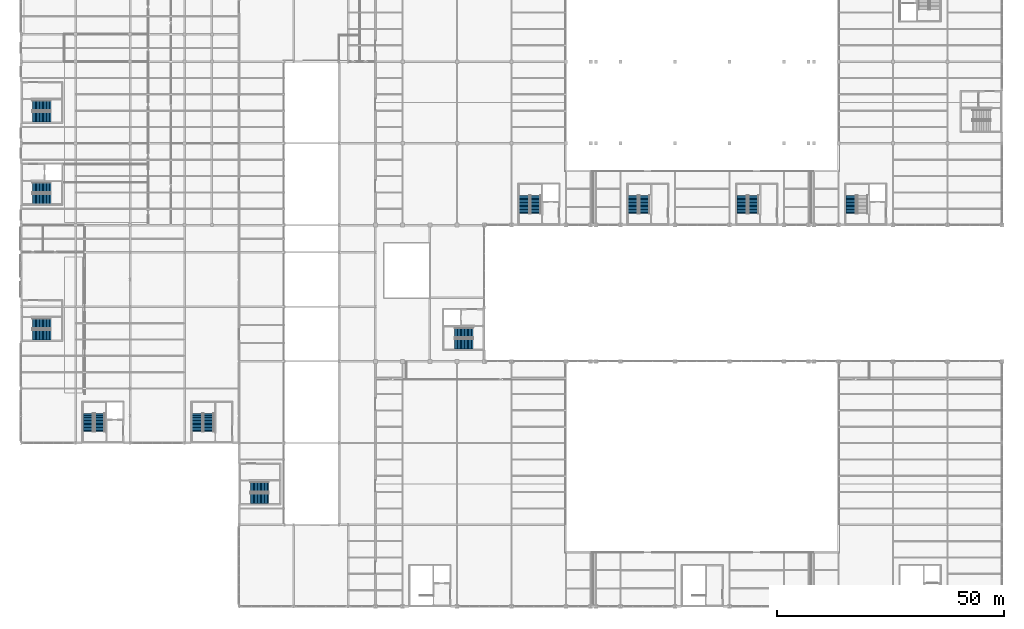
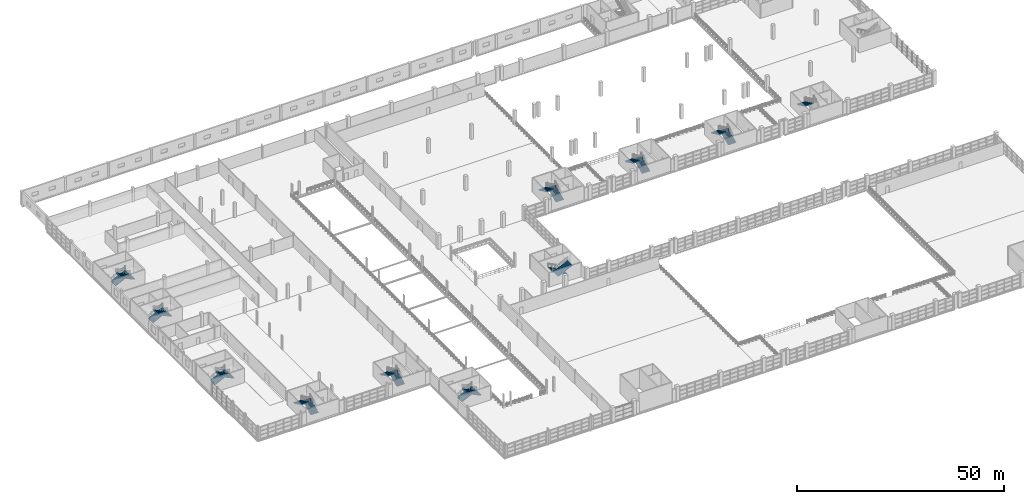
# One storey, part 151 of 158: 21 stair flights, 11 elements without a shape of their own.
"""IFC4 building model written with IfcOpenShell, lengths in metres."""

from ifc_helpers import new_model, si_unit, direction, frame, origin, place, context, subcontext, project, spatial, polyline, outline, extrude, material, type_object, element, aggregate, save


model = new_model("IFC4")

# Units and contexts
model_context = context("Model", 3, precision=1e-05, world=origin(), true_north=direction((0.0, 1.0)))
body_context = subcontext(model_context, "Body", "Model", "MODEL_VIEW")
ifc_project = project(units=[si_unit("LENGTHUNIT", "METRE"), si_unit("AREAUNIT", "SQUARE_METRE"), si_unit("VOLUMEUNIT", "CUBIC_METRE"), si_unit("PLANEANGLEUNIT", "RADIAN"), si_unit("MASSUNIT", "GRAM", prefix="KILO")], contexts=[model_context])

# Site, building, storey
site_placement = place(None, origin())
site = spatial("IfcSite", under=ifc_project, at=site_placement, CompositionType="ELEMENT")
building_placement = place(site_placement, origin())
building = spatial("IfcBuilding", under=site, at=building_placement, Name="Zilviju Railside Exhibition Hall", CompositionType="ELEMENT")
storey_placement = place(building_placement, frame((0.0, 0.0, 4.199951171875)))
storey = spatial("IfcBuildingStorey", under=building, at=storey_placement, Name="L02", CompositionType="ELEMENT", Elevation=4.199951171875)

# Stair, stair flights
ifc_material = material(Name="Concrete C35/45", Category="concrete")
stair_type_1 = type_object("IfcStairType", Name="STAIR-ST-A", PredefinedType="HALF_TURN_STAIR", material=ifc_material)
stair_1_placement = place(storey_placement, origin())
stair_1 = element("IfcStair", 1, at=stair_1_placement, inside=storey, type_object=stair_type_1, Name="Core C04 North Hall Court West Exit Stair L02", PredefinedType="HALF_TURN_STAIR")
stair_flight_type_1 = type_object("IfcStairFlightType", Name="FLIGHT-ST-A", PredefinedType="STRAIGHT", material=ifc_material)
stair_flight_1_placement = place(storey_placement, frame((113.300048828125, 86.5, 0.0), z_axis=(0.0, 0.0, 1.0), x_axis=(0.0, 1.0, 0.0)))
stair_flight_1 = element("IfcStairFlight", 2, at=stair_flight_1_placement, type_object=stair_flight_type_1, Name="ST-04 flight 1", NumberOfRisers=14, NumberOfTreads=13, PredefinedType="STRAIGHT", RiserHeight=0.15, TreadLength=0.31, context=body_context, shape_type="SweptSolid", body=[
    extrude(outline(polyline([(0.0, 0.0), (0.0, 0.14990234375), (0.31005859375, 0.14990234375), (0.31005859375, 0.300048828125), (0.6201171875, 0.300048828125), (0.6201171875, 0.449951171875), (0.929931640625, 0.449951171875), (0.929931640625, 0.60009765625), (1.239990234375, 0.60009765625), (1.239990234375, 0.75), (1.550048828125, 0.75), (1.550048828125, 0.89990234375), (1.860107421875, 0.89990234375), (1.860107421875, 1.050048828125), (2.169921875, 1.050048828125), (2.169921875, 1.199951171875), (2.47998046875, 1.199951171875), (2.47998046875, 1.35009765625), (2.7900390625, 1.35009765625), (2.7900390625, 1.5), (3.10009765625, 1.5), (3.10009765625, 1.64990234375), (3.409912109375, 1.64990234375), (3.409912109375, 1.800048828125), (3.719970703125, 1.800048828125), (3.719970703125, 1.949951171875), (4.030029296875, 1.949951171875), (4.030029296875, 2.10009765625), (4.030029296875, 1.75), (0.4130859375, 0.0), (0.0, 0.0)])), frame((0.0, 1.1201171875, 0.0), z_axis=(0.0, -1.0, 0.0), x_axis=(1.0, 0.0, 0.0)), (0.0, 0.0, 1.0), 2.239990234375),
])
stair_flight_2_placement = place(storey_placement, frame((110.800048828125, 90.530029296875, 2.10009765625), z_axis=(0.0, 0.0, 1.0), x_axis=(0.0, -1.0, 0.0)))
stair_flight_2 = element("IfcStairFlight", 3, at=stair_flight_2_placement, type_object=stair_flight_type_1, Name="ST-04 flight 2", NumberOfRisers=14, NumberOfTreads=13, PredefinedType="STRAIGHT", RiserHeight=0.15, TreadLength=0.31, context=body_context, shape_type="SweptSolid", body=[
    extrude(outline(polyline([(0.0, 0.0), (0.0, 0.14990234375), (0.31005859375, 0.14990234375), (0.31005859375, 0.300048828125), (0.6201171875, 0.300048828125), (0.6201171875, 0.449951171875), (0.929931640625, 0.449951171875), (0.929931640625, 0.60009765625), (1.239990234375, 0.60009765625), (1.239990234375, 0.75), (1.550048828125, 0.75), (1.550048828125, 0.89990234375), (1.860107421875, 0.89990234375), (1.860107421875, 1.050048828125), (2.169921875, 1.050048828125), (2.169921875, 1.199951171875), (2.47998046875, 1.199951171875), (2.47998046875, 1.35009765625), (2.7900390625, 1.35009765625), (2.7900390625, 1.5), (3.10009765625, 1.5), (3.10009765625, 1.64990234375), (3.409912109375, 1.64990234375), (3.409912109375, 1.800048828125), (3.719970703125, 1.800048828125), (3.719970703125, 1.949951171875), (4.030029296875, 1.949951171875), (4.030029296875, 2.10009765625), (4.030029296875, 1.75), (0.4130859375, 0.0), (0.0, 0.0)])), frame((0.0, 1.1201171875, 0.0), z_axis=(0.0, -1.0, 0.0), x_axis=(1.0, 0.0, 0.0)), (0.0, 0.0, 1.0), 2.239990234375),
])
aggregate(stair_1, [stair_flight_1, stair_flight_2])

# Stair, stair flight
stair_2_placement = place(storey_placement, origin())
stair_2 = element("IfcStair", 4, at=stair_2_placement, inside=storey, type_object=stair_type_1, Name="Core C07 North Hall Court East Exit Stair L02", PredefinedType="HALF_TURN_STAIR")
stair_flight_3_placement = place(storey_placement, frame((182.800048828125, 90.530029296875, 2.10009765625), z_axis=(0.0, 0.0, 1.0), x_axis=(0.0, -1.0, 0.0)))
stair_flight_3 = element("IfcStairFlight", 5, at=stair_flight_3_placement, type_object=stair_flight_type_1, Name="ST-07 flight 2", NumberOfRisers=14, NumberOfTreads=13, PredefinedType="STRAIGHT", RiserHeight=0.15, TreadLength=0.31, context=body_context, shape_type="SweptSolid", body=[
    extrude(outline(polyline([(0.0, 0.0), (0.0, 0.14990234375), (0.31005859375, 0.14990234375), (0.31005859375, 0.300048828125), (0.6201171875, 0.300048828125), (0.6201171875, 0.449951171875), (0.929931640625, 0.449951171875), (0.929931640625, 0.60009765625), (1.239990234375, 0.60009765625), (1.239990234375, 0.75), (1.550048828125, 0.75), (1.550048828125, 0.89990234375), (1.860107421875, 0.89990234375), (1.860107421875, 1.050048828125), (2.169921875, 1.050048828125), (2.169921875, 1.199951171875), (2.47998046875, 1.199951171875), (2.47998046875, 1.35009765625), (2.7900390625, 1.35009765625), (2.7900390625, 1.5), (3.10009765625, 1.5), (3.10009765625, 1.64990234375), (3.409912109375, 1.64990234375), (3.409912109375, 1.800048828125), (3.719970703125, 1.800048828125), (3.719970703125, 1.949951171875), (4.030029296875, 1.949951171875), (4.030029296875, 2.10009765625), (4.030029296875, 1.75), (0.4130859375, 0.0), (0.0, 0.0)])), frame((0.0, 1.1201171875, 0.0), z_axis=(0.0, -1.0, 0.0), x_axis=(1.0, 0.0, 0.0)), (0.0, 0.0, 1.0), 2.239990234375),
])
aggregate(stair_2, [stair_flight_3])

# Stair, stair flights
stair_3_placement = place(storey_placement, origin())
stair_3 = element("IfcStair", 6, at=stair_3_placement, inside=storey, type_object=stair_type_1, Name="Core C10 Winter Concourse Court Exit Stair L02", PredefinedType="HALF_TURN_STAIR")
stair_flight_4_placement = place(storey_placement, frame((99.5, 60.300048828125, 0.0), z_axis=(0.0, 0.0, 1.0), x_axis=(-1.0, 0.0, 0.0)))
stair_flight_4 = element("IfcStairFlight", 7, at=stair_flight_4_placement, type_object=stair_flight_type_1, Name="ST-10 flight 1", NumberOfRisers=14, NumberOfTreads=13, PredefinedType="STRAIGHT", RiserHeight=0.15, TreadLength=0.31, context=body_context, shape_type="SweptSolid", body=[
    extrude(outline(polyline([(0.0, 0.0), (0.0, 0.14990234375), (0.31005859375, 0.14990234375), (0.31005859375, 0.300048828125), (0.6201171875, 0.300048828125), (0.6201171875, 0.449951171875), (0.929931640625, 0.449951171875), (0.929931640625, 0.60009765625), (1.239990234375, 0.60009765625), (1.239990234375, 0.75), (1.550048828125, 0.75), (1.550048828125, 0.89990234375), (1.860107421875, 0.89990234375), (1.860107421875, 1.050048828125), (2.169921875, 1.050048828125), (2.169921875, 1.199951171875), (2.47998046875, 1.199951171875), (2.47998046875, 1.35009765625), (2.7900390625, 1.35009765625), (2.7900390625, 1.5), (3.10009765625, 1.5), (3.10009765625, 1.64990234375), (3.409912109375, 1.64990234375), (3.409912109375, 1.800048828125), (3.719970703125, 1.800048828125), (3.719970703125, 1.949951171875), (4.030029296875, 1.949951171875), (4.030029296875, 2.10009765625), (4.030029296875, 1.75), (0.4130859375, 0.0), (0.0, 0.0)])), frame((0.0, 1.1201171875, 0.0), z_axis=(0.0, -1.0, 0.0), x_axis=(1.0, 0.0, 0.0)), (0.0, 0.0, 1.0), 2.239990234375),
])
stair_flight_5_placement = place(storey_placement, frame((95.469970703125, 57.800048828125, 2.10009765625), z_axis=(0.0, 0.0, 1.0), x_axis=(1.0, 0.0, 0.0)))
stair_flight_5 = element("IfcStairFlight", 8, at=stair_flight_5_placement, type_object=stair_flight_type_1, Name="ST-10 flight 2", NumberOfRisers=14, NumberOfTreads=13, PredefinedType="STRAIGHT", RiserHeight=0.15, TreadLength=0.31, context=body_context, shape_type="SweptSolid", body=[
    extrude(outline(polyline([(0.0, 0.0), (0.0, 0.14990234375), (0.31005859375, 0.14990234375), (0.31005859375, 0.300048828125), (0.6201171875, 0.300048828125), (0.6201171875, 0.449951171875), (0.929931640625, 0.449951171875), (0.929931640625, 0.60009765625), (1.239990234375, 0.60009765625), (1.239990234375, 0.75), (1.550048828125, 0.75), (1.550048828125, 0.89990234375), (1.860107421875, 0.89990234375), (1.860107421875, 1.050048828125), (2.169921875, 1.050048828125), (2.169921875, 1.199951171875), (2.47998046875, 1.199951171875), (2.47998046875, 1.35009765625), (2.7900390625, 1.35009765625), (2.7900390625, 1.5), (3.10009765625, 1.5), (3.10009765625, 1.64990234375), (3.409912109375, 1.64990234375), (3.409912109375, 1.800048828125), (3.719970703125, 1.800048828125), (3.719970703125, 1.949951171875), (4.030029296875, 1.949951171875), (4.030029296875, 2.10009765625), (4.030029296875, 1.75), (0.4130859375, 0.0), (0.0, 0.0)])), frame((0.0, 1.1201171875, 0.0), z_axis=(0.0, -1.0, 0.0), x_axis=(1.0, 0.0, 0.0)), (0.0, 0.0, 1.0), 2.239990234375),
])
aggregate(stair_3, [stair_flight_4, stair_flight_5])

stair_4_placement = place(storey_placement, origin())
stair_4 = element("IfcStair", 9, at=stair_4_placement, inside=storey, type_object=stair_type_1, Name="Core C13 Congress Plenary SouthE Exit Stair L02", PredefinedType="HALF_TURN_STAIR")
stair_flight_6_placement = place(storey_placement, frame((41.300048828125, 38.5, 0.0), z_axis=(0.0, 0.0, 1.0), x_axis=(0.0, 1.0, 0.0)))
stair_flight_6 = element("IfcStairFlight", 10, at=stair_flight_6_placement, type_object=stair_flight_type_1, Name="ST-13 flight 1", NumberOfRisers=14, NumberOfTreads=13, PredefinedType="STRAIGHT", RiserHeight=0.15, TreadLength=0.31, context=body_context, shape_type="SweptSolid", body=[
    extrude(outline(polyline([(0.0, 0.0), (0.0, 0.14990234375), (0.31005859375, 0.14990234375), (0.31005859375, 0.300048828125), (0.6201171875, 0.300048828125), (0.6201171875, 0.449951171875), (0.929931640625, 0.449951171875), (0.929931640625, 0.60009765625), (1.239990234375, 0.60009765625), (1.239990234375, 0.75), (1.550048828125, 0.75), (1.550048828125, 0.89990234375), (1.860107421875, 0.89990234375), (1.860107421875, 1.050048828125), (2.169921875, 1.050048828125), (2.169921875, 1.199951171875), (2.47998046875, 1.199951171875), (2.47998046875, 1.35009765625), (2.7900390625, 1.35009765625), (2.7900390625, 1.5), (3.10009765625, 1.5), (3.10009765625, 1.64990234375), (3.409912109375, 1.64990234375), (3.409912109375, 1.800048828125), (3.719970703125, 1.800048828125), (3.719970703125, 1.949951171875), (4.030029296875, 1.949951171875), (4.030029296875, 2.10009765625), (4.030029296875, 1.75), (0.4130859375, 0.0), (0.0, 0.0)])), frame((0.0, 1.1201171875, 0.0), z_axis=(0.0, -1.0, 0.0), x_axis=(1.0, 0.0, 0.0)), (0.0, 0.0, 1.0), 2.239990234375),
])
stair_flight_7_placement = place(storey_placement, frame((38.800048828125, 42.530029296875, 2.10009765625), z_axis=(0.0, 0.0, 1.0), x_axis=(0.0, -1.0, 0.0)))
stair_flight_7 = element("IfcStairFlight", 11, at=stair_flight_7_placement, type_object=stair_flight_type_1, Name="ST-13 flight 2", NumberOfRisers=14, NumberOfTreads=13, PredefinedType="STRAIGHT", RiserHeight=0.15, TreadLength=0.31, context=body_context, shape_type="SweptSolid", body=[
    extrude(outline(polyline([(0.0, 0.0), (0.0, 0.14990234375), (0.31005859375, 0.14990234375), (0.31005859375, 0.300048828125), (0.6201171875, 0.300048828125), (0.6201171875, 0.449951171875), (0.929931640625, 0.449951171875), (0.929931640625, 0.60009765625), (1.239990234375, 0.60009765625), (1.239990234375, 0.75), (1.550048828125, 0.75), (1.550048828125, 0.89990234375), (1.860107421875, 0.89990234375), (1.860107421875, 1.050048828125), (2.169921875, 1.050048828125), (2.169921875, 1.199951171875), (2.47998046875, 1.199951171875), (2.47998046875, 1.35009765625), (2.7900390625, 1.35009765625), (2.7900390625, 1.5), (3.10009765625, 1.5), (3.10009765625, 1.64990234375), (3.409912109375, 1.64990234375), (3.409912109375, 1.800048828125), (3.719970703125, 1.800048828125), (3.719970703125, 1.949951171875), (4.030029296875, 1.949951171875), (4.030029296875, 2.10009765625), (4.030029296875, 1.75), (0.4130859375, 0.0), (0.0, 0.0)])), frame((0.0, 1.1201171875, 0.0), z_axis=(0.0, -1.0, 0.0), x_axis=(1.0, 0.0, 0.0)), (0.0, 0.0, 1.0), 2.239990234375),
])
aggregate(stair_4, [stair_flight_6, stair_flight_7])

stair_5_placement = place(storey_placement, origin())
stair_5 = element("IfcStair", 12, at=stair_5_placement, inside=storey, type_object=stair_type_1, Name="Core C16 Organisers Wing North Exit Stair L02", PredefinedType="HALF_TURN_STAIR")
stair_flight_8_placement = place(storey_placement, frame((2.5, 110.300048828125, 0.0), z_axis=(0.0, 0.0, 1.0), x_axis=(1.0, 0.0, 0.0)))
stair_flight_8 = element("IfcStairFlight", 13, at=stair_flight_8_placement, type_object=stair_flight_type_1, Name="ST-16 flight 1", NumberOfRisers=14, NumberOfTreads=13, PredefinedType="STRAIGHT", RiserHeight=0.15, TreadLength=0.31, context=body_context, shape_type="SweptSolid", body=[
    extrude(outline(polyline([(0.0, 0.0), (0.0, 0.14990234375), (0.31005859375, 0.14990234375), (0.31005859375, 0.300048828125), (0.6201171875, 0.300048828125), (0.6201171875, 0.449951171875), (0.929931640625, 0.449951171875), (0.929931640625, 0.60009765625), (1.239990234375, 0.60009765625), (1.239990234375, 0.75), (1.550048828125, 0.75), (1.550048828125, 0.89990234375), (1.860107421875, 0.89990234375), (1.860107421875, 1.050048828125), (2.169921875, 1.050048828125), (2.169921875, 1.199951171875), (2.47998046875, 1.199951171875), (2.47998046875, 1.35009765625), (2.7900390625, 1.35009765625), (2.7900390625, 1.5), (3.10009765625, 1.5), (3.10009765625, 1.64990234375), (3.409912109375, 1.64990234375), (3.409912109375, 1.800048828125), (3.719970703125, 1.800048828125), (3.719970703125, 1.949951171875), (4.030029296875, 1.949951171875), (4.030029296875, 2.10009765625), (4.030029296875, 1.75), (0.4130859375, 0.0), (0.0, 0.0)])), frame((0.0, 1.1201171875, 0.0), z_axis=(0.0, -1.0, 0.0), x_axis=(1.0, 0.0, 0.0)), (0.0, 0.0, 1.0), 2.239990234375),
])
stair_flight_9_placement = place(storey_placement, frame((6.530029296875, 107.800048828125, 2.10009765625), z_axis=(0.0, 0.0, 1.0), x_axis=(-1.0, 0.0, 0.0)))
stair_flight_9 = element("IfcStairFlight", 14, at=stair_flight_9_placement, type_object=stair_flight_type_1, Name="ST-16 flight 2", NumberOfRisers=14, NumberOfTreads=13, PredefinedType="STRAIGHT", RiserHeight=0.15, TreadLength=0.31, context=body_context, shape_type="SweptSolid", body=[
    extrude(outline(polyline([(0.0, 0.0), (0.0, 0.14990234375), (0.31005859375, 0.14990234375), (0.31005859375, 0.300048828125), (0.6201171875, 0.300048828125), (0.6201171875, 0.449951171875), (0.929931640625, 0.449951171875), (0.929931640625, 0.60009765625), (1.239990234375, 0.60009765625), (1.239990234375, 0.75), (1.550048828125, 0.75), (1.550048828125, 0.89990234375), (1.860107421875, 0.89990234375), (1.860107421875, 1.050048828125), (2.169921875, 1.050048828125), (2.169921875, 1.199951171875), (2.47998046875, 1.199951171875), (2.47998046875, 1.35009765625), (2.7900390625, 1.35009765625), (2.7900390625, 1.5), (3.10009765625, 1.5), (3.10009765625, 1.64990234375), (3.409912109375, 1.64990234375), (3.409912109375, 1.800048828125), (3.719970703125, 1.800048828125), (3.719970703125, 1.949951171875), (4.030029296875, 1.949951171875), (4.030029296875, 2.10009765625), (4.030029296875, 1.75), (0.4130859375, 0.0), (0.0, 0.0)])), frame((0.0, 1.1201171875, 0.0), z_axis=(0.0, -1.0, 0.0), x_axis=(1.0, 0.0, 0.0)), (0.0, 0.0, 1.0), 2.239990234375),
])
aggregate(stair_5, [stair_flight_8, stair_flight_9])

stair_type_2 = type_object("IfcStairType", Name="STAIR-ST-B", PredefinedType="HALF_TURN_STAIR", material=ifc_material)
stair_6_placement = place(storey_placement, origin())
stair_6 = element("IfcStair", 15, at=stair_6_placement, inside=storey, type_object=stair_type_2, Name="Core C05 North Hall Court MidW Exit Stair L02", PredefinedType="HALF_TURN_STAIR")
stair_flight_type_2 = type_object("IfcStairFlightType", Name="FLIGHT-ST-B", PredefinedType="STRAIGHT", material=ifc_material)
stair_flight_10_placement = place(storey_placement, frame((137.300048828125, 86.5, 0.0), z_axis=(0.0, 0.0, 1.0), x_axis=(0.0, 1.0, 0.0)))
stair_flight_10 = element("IfcStairFlight", 16, at=stair_flight_10_placement, type_object=stair_flight_type_2, Name="ST-05 flight 1", NumberOfRisers=14, NumberOfTreads=13, PredefinedType="STRAIGHT", RiserHeight=0.15, TreadLength=0.31, context=body_context, shape_type="SweptSolid", body=[
    extrude(outline(polyline([(0.0, 0.0), (0.0, 0.14990234375), (0.31005859375, 0.14990234375), (0.31005859375, 0.300048828125), (0.6201171875, 0.300048828125), (0.6201171875, 0.449951171875), (0.929931640625, 0.449951171875), (0.929931640625, 0.60009765625), (1.239990234375, 0.60009765625), (1.239990234375, 0.75), (1.550048828125, 0.75), (1.550048828125, 0.89990234375), (1.860107421875, 0.89990234375), (1.860107421875, 1.050048828125), (2.169921875, 1.050048828125), (2.169921875, 1.199951171875), (2.47998046875, 1.199951171875), (2.47998046875, 1.35009765625), (2.7900390625, 1.35009765625), (2.7900390625, 1.5), (3.10009765625, 1.5), (3.10009765625, 1.64990234375), (3.409912109375, 1.64990234375), (3.409912109375, 1.800048828125), (3.719970703125, 1.800048828125), (3.719970703125, 1.949951171875), (4.030029296875, 1.949951171875), (4.030029296875, 2.10009765625), (4.030029296875, 1.75), (0.4130859375, 0.0), (0.0, 0.0)])), frame((0.0, 1.10986328125, 0.0), z_axis=(0.0, -1.0, 0.0), x_axis=(1.0, 0.0, 0.0)), (0.0, 0.0, 1.0), 2.219970703125),
])
stair_flight_11_placement = place(storey_placement, frame((134.800048828125, 90.530029296875, 2.10009765625), z_axis=(0.0, 0.0, 1.0), x_axis=(0.0, -1.0, 0.0)))
stair_flight_11 = element("IfcStairFlight", 17, at=stair_flight_11_placement, type_object=stair_flight_type_2, Name="ST-05 flight 2", NumberOfRisers=14, NumberOfTreads=13, PredefinedType="STRAIGHT", RiserHeight=0.15, TreadLength=0.31, context=body_context, shape_type="SweptSolid", body=[
    extrude(outline(polyline([(0.0, 0.0), (0.0, 0.14990234375), (0.31005859375, 0.14990234375), (0.31005859375, 0.300048828125), (0.6201171875, 0.300048828125), (0.6201171875, 0.449951171875), (0.929931640625, 0.449951171875), (0.929931640625, 0.60009765625), (1.239990234375, 0.60009765625), (1.239990234375, 0.75), (1.550048828125, 0.75), (1.550048828125, 0.89990234375), (1.860107421875, 0.89990234375), (1.860107421875, 1.050048828125), (2.169921875, 1.050048828125), (2.169921875, 1.199951171875), (2.47998046875, 1.199951171875), (2.47998046875, 1.35009765625), (2.7900390625, 1.35009765625), (2.7900390625, 1.5), (3.10009765625, 1.5), (3.10009765625, 1.64990234375), (3.409912109375, 1.64990234375), (3.409912109375, 1.800048828125), (3.719970703125, 1.800048828125), (3.719970703125, 1.949951171875), (4.030029296875, 1.949951171875), (4.030029296875, 2.10009765625), (4.030029296875, 1.75), (0.4130859375, 0.0), (0.0, 0.0)])), frame((0.0, 1.10986328125, 0.0), z_axis=(0.0, -1.0, 0.0), x_axis=(1.0, 0.0, 0.0)), (0.0, 0.0, 1.0), 2.219970703125),
])
aggregate(stair_6, [stair_flight_10, stair_flight_11])

stair_7_placement = place(storey_placement, origin())
stair_7 = element("IfcStair", 18, at=stair_7_placement, inside=storey, type_object=stair_type_2, Name="Core C11 Winter Concourse Forecourt Exit Stair L02", PredefinedType="HALF_TURN_STAIR")
stair_flight_12_placement = place(storey_placement, frame((50.5, 26.300048828125, 0.0), z_axis=(0.0, 0.0, 1.0), x_axis=(1.0, 0.0, 0.0)))
stair_flight_12 = element("IfcStairFlight", 19, at=stair_flight_12_placement, type_object=stair_flight_type_2, Name="ST-11 flight 1", NumberOfRisers=14, NumberOfTreads=13, PredefinedType="STRAIGHT", RiserHeight=0.15, TreadLength=0.31, context=body_context, shape_type="SweptSolid", body=[
    extrude(outline(polyline([(0.0, 0.0), (0.0, 0.14990234375), (0.31005859375, 0.14990234375), (0.31005859375, 0.300048828125), (0.6201171875, 0.300048828125), (0.6201171875, 0.449951171875), (0.929931640625, 0.449951171875), (0.929931640625, 0.60009765625), (1.239990234375, 0.60009765625), (1.239990234375, 0.75), (1.550048828125, 0.75), (1.550048828125, 0.89990234375), (1.860107421875, 0.89990234375), (1.860107421875, 1.050048828125), (2.169921875, 1.050048828125), (2.169921875, 1.199951171875), (2.47998046875, 1.199951171875), (2.47998046875, 1.35009765625), (2.7900390625, 1.35009765625), (2.7900390625, 1.5), (3.10009765625, 1.5), (3.10009765625, 1.64990234375), (3.409912109375, 1.64990234375), (3.409912109375, 1.800048828125), (3.719970703125, 1.800048828125), (3.719970703125, 1.949951171875), (4.030029296875, 1.949951171875), (4.030029296875, 2.10009765625), (4.030029296875, 1.75), (0.4130859375, 0.0), (0.0, 0.0)])), frame((0.0, 1.10986328125, 0.0), z_axis=(0.0, -1.0, 0.0), x_axis=(1.0, 0.0, 0.0)), (0.0, 0.0, 1.0), 2.219970703125),
])
stair_flight_13_placement = place(storey_placement, frame((54.530029296875, 23.800048828125, 2.10009765625), z_axis=(0.0, 0.0, 1.0), x_axis=(-1.0, 0.0, 0.0)))
stair_flight_13 = element("IfcStairFlight", 20, at=stair_flight_13_placement, type_object=stair_flight_type_2, Name="ST-11 flight 2", NumberOfRisers=14, NumberOfTreads=13, PredefinedType="STRAIGHT", RiserHeight=0.15, TreadLength=0.31, context=body_context, shape_type="SweptSolid", body=[
    extrude(outline(polyline([(0.0, 0.0), (0.0, 0.14990234375), (0.31005859375, 0.14990234375), (0.31005859375, 0.300048828125), (0.6201171875, 0.300048828125), (0.6201171875, 0.449951171875), (0.929931640625, 0.449951171875), (0.929931640625, 0.60009765625), (1.239990234375, 0.60009765625), (1.239990234375, 0.75), (1.550048828125, 0.75), (1.550048828125, 0.89990234375), (1.860107421875, 0.89990234375), (1.860107421875, 1.050048828125), (2.169921875, 1.050048828125), (2.169921875, 1.199951171875), (2.47998046875, 1.199951171875), (2.47998046875, 1.35009765625), (2.7900390625, 1.35009765625), (2.7900390625, 1.5), (3.10009765625, 1.5), (3.10009765625, 1.64990234375), (3.409912109375, 1.64990234375), (3.409912109375, 1.800048828125), (3.719970703125, 1.800048828125), (3.719970703125, 1.949951171875), (4.030029296875, 1.949951171875), (4.030029296875, 2.10009765625), (4.030029296875, 1.75), (0.4130859375, 0.0), (0.0, 0.0)])), frame((0.0, 1.10986328125, 0.0), z_axis=(0.0, -1.0, 0.0), x_axis=(1.0, 0.0, 0.0)), (0.0, 0.0, 1.0), 2.219970703125),
])
aggregate(stair_7, [stair_flight_12, stair_flight_13])

stair_8_placement = place(storey_placement, origin())
stair_8 = element("IfcStair", 21, at=stair_8_placement, inside=storey, type_object=stair_type_2, Name="Core C14 Congress Plenary West Exit Stair L02", PredefinedType="HALF_TURN_STAIR")
stair_flight_14_placement = place(storey_placement, frame((2.5, 62.300048828125, 0.0), z_axis=(0.0, 0.0, 1.0), x_axis=(1.0, 0.0, 0.0)))
stair_flight_14 = element("IfcStairFlight", 22, at=stair_flight_14_placement, type_object=stair_flight_type_2, Name="ST-14 flight 1", NumberOfRisers=14, NumberOfTreads=13, PredefinedType="STRAIGHT", RiserHeight=0.15, TreadLength=0.31, context=body_context, shape_type="SweptSolid", body=[
    extrude(outline(polyline([(0.0, 0.0), (0.0, 0.14990234375), (0.31005859375, 0.14990234375), (0.31005859375, 0.300048828125), (0.6201171875, 0.300048828125), (0.6201171875, 0.449951171875), (0.929931640625, 0.449951171875), (0.929931640625, 0.60009765625), (1.239990234375, 0.60009765625), (1.239990234375, 0.75), (1.550048828125, 0.75), (1.550048828125, 0.89990234375), (1.860107421875, 0.89990234375), (1.860107421875, 1.050048828125), (2.169921875, 1.050048828125), (2.169921875, 1.199951171875), (2.47998046875, 1.199951171875), (2.47998046875, 1.35009765625), (2.7900390625, 1.35009765625), (2.7900390625, 1.5), (3.10009765625, 1.5), (3.10009765625, 1.64990234375), (3.409912109375, 1.64990234375), (3.409912109375, 1.800048828125), (3.719970703125, 1.800048828125), (3.719970703125, 1.949951171875), (4.030029296875, 1.949951171875), (4.030029296875, 2.10009765625), (4.030029296875, 1.75), (0.4130859375, 0.0), (0.0, 0.0)])), frame((0.0, 1.10986328125, 0.0), z_axis=(0.0, -1.0, 0.0), x_axis=(1.0, 0.0, 0.0)), (0.0, 0.0, 1.0), 2.219970703125),
])
stair_flight_15_placement = place(storey_placement, frame((6.530029296875, 59.800048828125, 2.10009765625), z_axis=(0.0, 0.0, 1.0), x_axis=(-1.0, 0.0, 0.0)))
stair_flight_15 = element("IfcStairFlight", 23, at=stair_flight_15_placement, type_object=stair_flight_type_2, Name="ST-14 flight 2", NumberOfRisers=14, NumberOfTreads=13, PredefinedType="STRAIGHT", RiserHeight=0.15, TreadLength=0.31, context=body_context, shape_type="SweptSolid", body=[
    extrude(outline(polyline([(0.0, 0.0), (0.0, 0.14990234375), (0.31005859375, 0.14990234375), (0.31005859375, 0.300048828125), (0.6201171875, 0.300048828125), (0.6201171875, 0.449951171875), (0.929931640625, 0.449951171875), (0.929931640625, 0.60009765625), (1.239990234375, 0.60009765625), (1.239990234375, 0.75), (1.550048828125, 0.75), (1.550048828125, 0.89990234375), (1.860107421875, 0.89990234375), (1.860107421875, 1.050048828125), (2.169921875, 1.050048828125), (2.169921875, 1.199951171875), (2.47998046875, 1.199951171875), (2.47998046875, 1.35009765625), (2.7900390625, 1.35009765625), (2.7900390625, 1.5), (3.10009765625, 1.5), (3.10009765625, 1.64990234375), (3.409912109375, 1.64990234375), (3.409912109375, 1.800048828125), (3.719970703125, 1.800048828125), (3.719970703125, 1.949951171875), (4.030029296875, 1.949951171875), (4.030029296875, 2.10009765625), (4.030029296875, 1.75), (0.4130859375, 0.0), (0.0, 0.0)])), frame((0.0, 1.10986328125, 0.0), z_axis=(0.0, -1.0, 0.0), x_axis=(1.0, 0.0, 0.0)), (0.0, 0.0, 1.0), 2.219970703125),
])
aggregate(stair_8, [stair_flight_14, stair_flight_15])

stair_type_3 = type_object("IfcStairType", Name="STAIR-ST-C", PredefinedType="HALF_TURN_STAIR", material=ifc_material)
stair_9_placement = place(storey_placement, origin())
stair_9 = element("IfcStair", 24, at=stair_9_placement, inside=storey, type_object=stair_type_3, Name="Core C06 North Hall Court MidE Exit Stair L02", PredefinedType="HALF_TURN_STAIR")
stair_flight_type_3 = type_object("IfcStairFlightType", Name="FLIGHT-ST-C", PredefinedType="STRAIGHT", material=ifc_material)
stair_flight_16_placement = place(storey_placement, frame((161.300048828125, 86.5, 0.0), z_axis=(0.0, 0.0, 1.0), x_axis=(0.0, 1.0, 0.0)))
stair_flight_16 = element("IfcStairFlight", 25, at=stair_flight_16_placement, type_object=stair_flight_type_3, Name="ST-06 flight 1", NumberOfRisers=14, NumberOfTreads=13, PredefinedType="STRAIGHT", RiserHeight=0.15, TreadLength=0.31, context=body_context, shape_type="SweptSolid", body=[
    extrude(outline(polyline([(0.0, 0.0), (0.0, 0.14990234375), (0.31005859375, 0.14990234375), (0.31005859375, 0.300048828125), (0.6201171875, 0.300048828125), (0.6201171875, 0.449951171875), (0.929931640625, 0.449951171875), (0.929931640625, 0.60009765625), (1.239990234375, 0.60009765625), (1.239990234375, 0.75), (1.550048828125, 0.75), (1.550048828125, 0.89990234375), (1.860107421875, 0.89990234375), (1.860107421875, 1.050048828125), (2.169921875, 1.050048828125), (2.169921875, 1.199951171875), (2.47998046875, 1.199951171875), (2.47998046875, 1.35009765625), (2.7900390625, 1.35009765625), (2.7900390625, 1.5), (3.10009765625, 1.5), (3.10009765625, 1.64990234375), (3.409912109375, 1.64990234375), (3.409912109375, 1.800048828125), (3.719970703125, 1.800048828125), (3.719970703125, 1.949951171875), (4.030029296875, 1.949951171875), (4.030029296875, 2.10009765625), (4.030029296875, 1.75), (0.4130859375, 0.0), (0.0, 0.0)])), frame((0.0, 1.10009765625, 0.0), z_axis=(0.0, -1.0, 0.0), x_axis=(1.0, 0.0, 0.0)), (0.0, 0.0, 1.0), 2.199951171875),
])
stair_flight_17_placement = place(storey_placement, frame((158.800048828125, 90.530029296875, 2.10009765625), z_axis=(0.0, 0.0, 1.0), x_axis=(0.0, -1.0, 0.0)))
stair_flight_17 = element("IfcStairFlight", 26, at=stair_flight_17_placement, type_object=stair_flight_type_3, Name="ST-06 flight 2", NumberOfRisers=14, NumberOfTreads=13, PredefinedType="STRAIGHT", RiserHeight=0.15, TreadLength=0.31, context=body_context, shape_type="SweptSolid", body=[
    extrude(outline(polyline([(0.0, 0.0), (0.0, 0.14990234375), (0.31005859375, 0.14990234375), (0.31005859375, 0.300048828125), (0.6201171875, 0.300048828125), (0.6201171875, 0.449951171875), (0.929931640625, 0.449951171875), (0.929931640625, 0.60009765625), (1.239990234375, 0.60009765625), (1.239990234375, 0.75), (1.550048828125, 0.75), (1.550048828125, 0.89990234375), (1.860107421875, 0.89990234375), (1.860107421875, 1.050048828125), (2.169921875, 1.050048828125), (2.169921875, 1.199951171875), (2.47998046875, 1.199951171875), (2.47998046875, 1.35009765625), (2.7900390625, 1.35009765625), (2.7900390625, 1.5), (3.10009765625, 1.5), (3.10009765625, 1.64990234375), (3.409912109375, 1.64990234375), (3.409912109375, 1.800048828125), (3.719970703125, 1.800048828125), (3.719970703125, 1.949951171875), (4.030029296875, 1.949951171875), (4.030029296875, 2.10009765625), (4.030029296875, 1.75), (0.4130859375, 0.0), (0.0, 0.0)])), frame((0.0, 1.10009765625, 0.0), z_axis=(0.0, -1.0, 0.0), x_axis=(1.0, 0.0, 0.0)), (0.0, 0.0, 1.0), 2.199951171875),
])
aggregate(stair_9, [stair_flight_16, stair_flight_17])

stair_10_placement = place(storey_placement, origin())
stair_10 = element("IfcStair", 27, at=stair_10_placement, inside=storey, type_object=stair_type_3, Name="Core C12 Congress Plenary SouthW Exit Stair L02", PredefinedType="HALF_TURN_STAIR")
stair_flight_18_placement = place(storey_placement, frame((17.300048828125, 38.5, 0.0), z_axis=(0.0, 0.0, 1.0), x_axis=(0.0, 1.0, 0.0)))
stair_flight_18 = element("IfcStairFlight", 28, at=stair_flight_18_placement, type_object=stair_flight_type_3, Name="ST-12 flight 1", NumberOfRisers=14, NumberOfTreads=13, PredefinedType="STRAIGHT", RiserHeight=0.15, TreadLength=0.31, context=body_context, shape_type="SweptSolid", body=[
    extrude(outline(polyline([(0.0, 0.0), (0.0, 0.14990234375), (0.31005859375, 0.14990234375), (0.31005859375, 0.300048828125), (0.6201171875, 0.300048828125), (0.6201171875, 0.449951171875), (0.929931640625, 0.449951171875), (0.929931640625, 0.60009765625), (1.239990234375, 0.60009765625), (1.239990234375, 0.75), (1.550048828125, 0.75), (1.550048828125, 0.89990234375), (1.860107421875, 0.89990234375), (1.860107421875, 1.050048828125), (2.169921875, 1.050048828125), (2.169921875, 1.199951171875), (2.47998046875, 1.199951171875), (2.47998046875, 1.35009765625), (2.7900390625, 1.35009765625), (2.7900390625, 1.5), (3.10009765625, 1.5), (3.10009765625, 1.64990234375), (3.409912109375, 1.64990234375), (3.409912109375, 1.800048828125), (3.719970703125, 1.800048828125), (3.719970703125, 1.949951171875), (4.030029296875, 1.949951171875), (4.030029296875, 2.10009765625), (4.030029296875, 1.75), (0.4130859375, 0.0), (0.0, 0.0)])), frame((0.0, 1.10009765625, 0.0), z_axis=(0.0, -1.0, 0.0), x_axis=(1.0, 0.0, 0.0)), (0.0, 0.0, 1.0), 2.199951171875),
])
stair_flight_19_placement = place(storey_placement, frame((14.800048828125, 42.530029296875, 2.10009765625), z_axis=(0.0, 0.0, 1.0), x_axis=(0.0, -1.0, 0.0)))
stair_flight_19 = element("IfcStairFlight", 29, at=stair_flight_19_placement, type_object=stair_flight_type_3, Name="ST-12 flight 2", NumberOfRisers=14, NumberOfTreads=13, PredefinedType="STRAIGHT", RiserHeight=0.15, TreadLength=0.31, context=body_context, shape_type="SweptSolid", body=[
    extrude(outline(polyline([(0.0, 0.0), (0.0, 0.14990234375), (0.31005859375, 0.14990234375), (0.31005859375, 0.300048828125), (0.6201171875, 0.300048828125), (0.6201171875, 0.449951171875), (0.929931640625, 0.449951171875), (0.929931640625, 0.60009765625), (1.239990234375, 0.60009765625), (1.239990234375, 0.75), (1.550048828125, 0.75), (1.550048828125, 0.89990234375), (1.860107421875, 0.89990234375), (1.860107421875, 1.050048828125), (2.169921875, 1.050048828125), (2.169921875, 1.199951171875), (2.47998046875, 1.199951171875), (2.47998046875, 1.35009765625), (2.7900390625, 1.35009765625), (2.7900390625, 1.5), (3.10009765625, 1.5), (3.10009765625, 1.64990234375), (3.409912109375, 1.64990234375), (3.409912109375, 1.800048828125), (3.719970703125, 1.800048828125), (3.719970703125, 1.949951171875), (4.030029296875, 1.949951171875), (4.030029296875, 2.10009765625), (4.030029296875, 1.75), (0.4130859375, 0.0), (0.0, 0.0)])), frame((0.0, 1.10009765625, 0.0), z_axis=(0.0, -1.0, 0.0), x_axis=(1.0, 0.0, 0.0)), (0.0, 0.0, 1.0), 2.199951171875),
])
aggregate(stair_10, [stair_flight_18, stair_flight_19])

stair_11_placement = place(storey_placement, origin())
stair_11 = element("IfcStair", 30, at=stair_11_placement, inside=storey, type_object=stair_type_3, Name="Core C15 Organisers Wing South Exit Stair L02", PredefinedType="HALF_TURN_STAIR")
stair_flight_20_placement = place(storey_placement, frame((2.5, 92.300048828125, 0.0), z_axis=(0.0, 0.0, 1.0), x_axis=(1.0, 0.0, 0.0)))
stair_flight_20 = element("IfcStairFlight", 31, at=stair_flight_20_placement, type_object=stair_flight_type_3, Name="ST-15 flight 1", NumberOfRisers=14, NumberOfTreads=13, PredefinedType="STRAIGHT", RiserHeight=0.15, TreadLength=0.31, context=body_context, shape_type="SweptSolid", body=[
    extrude(outline(polyline([(0.0, 0.0), (0.0, 0.14990234375), (0.31005859375, 0.14990234375), (0.31005859375, 0.300048828125), (0.6201171875, 0.300048828125), (0.6201171875, 0.449951171875), (0.929931640625, 0.449951171875), (0.929931640625, 0.60009765625), (1.239990234375, 0.60009765625), (1.239990234375, 0.75), (1.550048828125, 0.75), (1.550048828125, 0.89990234375), (1.860107421875, 0.89990234375), (1.860107421875, 1.050048828125), (2.169921875, 1.050048828125), (2.169921875, 1.199951171875), (2.47998046875, 1.199951171875), (2.47998046875, 1.35009765625), (2.7900390625, 1.35009765625), (2.7900390625, 1.5), (3.10009765625, 1.5), (3.10009765625, 1.64990234375), (3.409912109375, 1.64990234375), (3.409912109375, 1.800048828125), (3.719970703125, 1.800048828125), (3.719970703125, 1.949951171875), (4.030029296875, 1.949951171875), (4.030029296875, 2.10009765625), (4.030029296875, 1.75), (0.4130859375, 0.0), (0.0, 0.0)])), frame((0.0, 1.10009765625, 0.0), z_axis=(0.0, -1.0, 0.0), x_axis=(1.0, 0.0, 0.0)), (0.0, 0.0, 1.0), 2.199951171875),
])
stair_flight_21_placement = place(storey_placement, frame((6.530029296875, 89.800048828125, 2.10009765625), z_axis=(0.0, 0.0, 1.0), x_axis=(-1.0, 0.0, 0.0)))
stair_flight_21 = element("IfcStairFlight", 32, at=stair_flight_21_placement, type_object=stair_flight_type_3, Name="ST-15 flight 2", NumberOfRisers=14, NumberOfTreads=13, PredefinedType="STRAIGHT", RiserHeight=0.15, TreadLength=0.31, context=body_context, shape_type="SweptSolid", body=[
    extrude(outline(polyline([(0.0, 0.0), (0.0, 0.14990234375), (0.31005859375, 0.14990234375), (0.31005859375, 0.300048828125), (0.6201171875, 0.300048828125), (0.6201171875, 0.449951171875), (0.929931640625, 0.449951171875), (0.929931640625, 0.60009765625), (1.239990234375, 0.60009765625), (1.239990234375, 0.75), (1.550048828125, 0.75), (1.550048828125, 0.89990234375), (1.860107421875, 0.89990234375), (1.860107421875, 1.050048828125), (2.169921875, 1.050048828125), (2.169921875, 1.199951171875), (2.47998046875, 1.199951171875), (2.47998046875, 1.35009765625), (2.7900390625, 1.35009765625), (2.7900390625, 1.5), (3.10009765625, 1.5), (3.10009765625, 1.64990234375), (3.409912109375, 1.64990234375), (3.409912109375, 1.800048828125), (3.719970703125, 1.800048828125), (3.719970703125, 1.949951171875), (4.030029296875, 1.949951171875), (4.030029296875, 2.10009765625), (4.030029296875, 1.75), (0.4130859375, 0.0), (0.0, 0.0)])), frame((0.0, 1.10009765625, 0.0), z_axis=(0.0, -1.0, 0.0), x_axis=(1.0, 0.0, 0.0)), (0.0, 0.0, 1.0), 2.199951171875),
])
aggregate(stair_11, [stair_flight_20, stair_flight_21])

save(model, "model.ifc")
